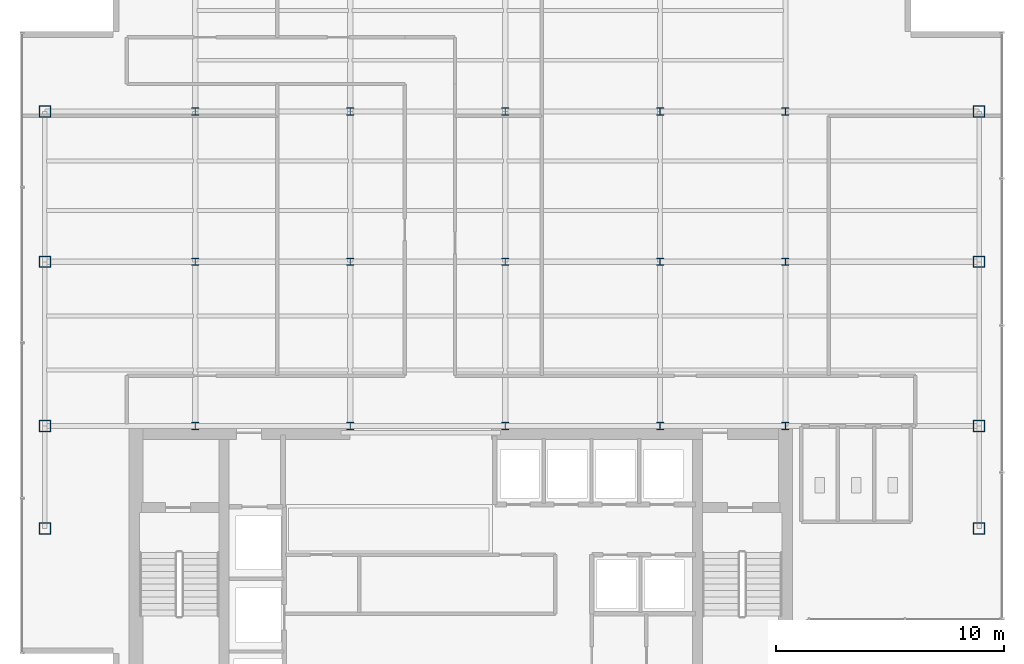
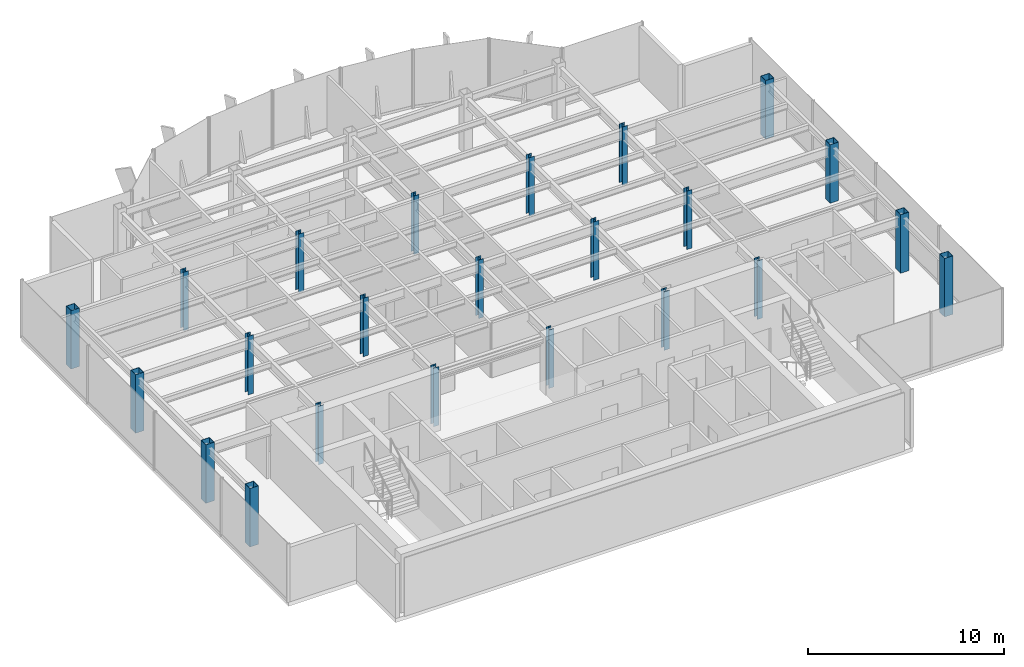
# One storey, part 1 of 22: 23 columns.
"""IFC4 building model written with IfcOpenShell, lengths in metres."""

import ifcopenshell
import ifcopenshell.guid

model = None  # the IFC model being written
_history = None  # IfcOwnerHistory: only IFC2X3 demands one
_inside = {}  # id of a spatial element -> (the spatial element, [elements in it])
_under = {}  # id of a project, library or spatial element -> (it, [spatial elements below it])
_declared = {}  # id of a project -> (the project, [libraries it declares])
_typed = {}  # id of a type object -> (the type object, [elements of that type])
_made_of = {}  # id of a material, layer set ... -> (it, [elements and type objects made of it])


def new_model(schema):
    """Start an empty IFC model of exactly this schema.

    Asked for "IFC4X3", IfcOpenShell would pick the latest addendum, in which some entities
    have other attributes; the version numbers below select the first issue.
    IFC2X3 requires an IfcOwnerHistory on every rooted entity: one is made here for all.
    """
    global model, _history
    if schema == "IFC4X3":
        model = ifcopenshell.file(schema_version=(4, 3, 0, 0))
    else:
        model = ifcopenshell.file(schema=schema)
    _inside.clear()
    _under.clear()
    _declared.clear()
    _typed.clear()
    _made_of.clear()
    _history = None
    if model.schema == "IFC2X3":
        org = make("IfcOrganization", Name="unknown")
        user = make(
            "IfcPersonAndOrganization",
            ThePerson=make("IfcPerson", FamilyName="unknown"),
            TheOrganization=org,
        )
        app = make(
            "IfcApplication",
            ApplicationDeveloper=org,
            Version="unknown",
            ApplicationFullName="unknown",
            ApplicationIdentifier="unknown",
        )
        _history = make(
            "IfcOwnerHistory",
            OwningUser=user,
            OwningApplication=app,
            ChangeAction="ADDED",
            CreationDate=0,
        )
    return model


def make(cls, **values):
    """One entity of the class cls with the attributes given. An attribute that is None is left unset."""
    return model.create_entity(
        cls, **{name: value for name, value in values.items() if value is not None}
    )


def rooted(cls, **values):
    """An entity with a GlobalId (a new one), such as an element, a storey or a relation."""
    return make(cls, GlobalId=ifcopenshell.guid.new(), OwnerHistory=_history, **values)


def si_unit(unit_type, name, prefix=None):
    """IfcSIUnit, for example si_unit("LENGTHUNIT", "METRE", prefix="MILLI")."""
    return make("IfcSIUnit", UnitType=unit_type, Prefix=prefix, Name=name)


def derived_unit(unit_type, elements):
    """IfcDerivedUnit: a product of units, each with its exponent."""
    return make(
        "IfcDerivedUnit",
        Elements=[
            make("IfcDerivedUnitElement", Unit=unit, Exponent=power)
            for unit, power in elements
        ],
        UnitType=unit_type,
    )


def assignment(units):
    """IfcUnitAssignment: the units of a project."""
    return None if units is None else make("IfcUnitAssignment", Units=units)


def point(xyz):
    """IfcCartesianPoint."""
    return None if xyz is None else make("IfcCartesianPoint", Coordinates=xyz)


def direction(xyz):
    """IfcDirection."""
    return None if xyz is None else make("IfcDirection", DirectionRatios=xyz)


def frame(location, z_axis=None, x_axis=None):
    """IfcAxis2Placement3D, a coordinate frame: its origin and axes. An axis left out is left unset."""
    return make(
        "IfcAxis2Placement3D",
        Location=point(location),
        Axis=direction(z_axis),
        RefDirection=direction(x_axis),
    )


def frame_2d(location, x_axis=None):
    """IfcAxis2Placement2D, a coordinate frame in the plane: its origin and x axis."""
    return make(
        "IfcAxis2Placement2D", Location=point(location), RefDirection=direction(x_axis)
    )


def origin():
    """The frame at (0, 0, 0) with its axes left unset."""
    return frame((0.0, 0.0, 0.0))


def origin_2d():
    """The frame at (0, 0) in the plane with its x axis left unset."""
    return frame_2d((0.0, 0.0))


def place(relative_to, where):
    """IfcLocalPlacement: puts the frame where relative to a parent placement (None: the world)."""
    return make(
        "IfcLocalPlacement", PlacementRelTo=relative_to, RelativePlacement=where
    )


def context(
    kind, dimensions, precision=None, world=None, true_north=None, identifier=None
):
    """IfcGeometricRepresentationContext, for example the 3D "Model" context."""
    return make(
        "IfcGeometricRepresentationContext",
        ContextIdentifier=identifier,
        ContextType=kind,
        CoordinateSpaceDimension=dimensions,
        Precision=precision,
        WorldCoordinateSystem=world,
        TrueNorth=true_north,
    )


def subcontext(parent, identifier, kind, view, scale=None):
    """IfcGeometricRepresentationSubContext, for example "Body" below "Model"."""
    return make(
        "IfcGeometricRepresentationSubContext",
        ContextIdentifier=identifier,
        ContextType=kind,
        ParentContext=parent,
        TargetScale=scale,
        TargetView=view,
    )


def project(units=None, contexts=None):
    """IfcProject with its units and contexts."""
    return rooted(
        "IfcProject",
        Name="project",
        RepresentationContexts=contexts,
        UnitsInContext=assignment(units),
    )


def spatial(cls, under=None, at=None, **own):
    """A site, building, storey or space (cls), placed at a placement, below another one or the project."""
    s = rooted(cls, ObjectPlacement=at, **own)
    if under is not None:
        _under.setdefault(under.id(), (under, []))[1].append(s)
    return s


def profile(cls, at=None, kind="AREA", **sizes):
    """A parametric profile (cls). Its sizes go by their IFC names, for example OverallWidth=200.0."""
    return make(cls, ProfileType=kind, Position=at, **sizes)


def hollow_rectangle(**sizes):
    """IfcRectangleHollowProfileDef."""
    return profile("IfcRectangleHollowProfileDef", **sizes)


def i_section(**sizes):
    """IfcIShapeProfileDef."""
    return profile("IfcIShapeProfileDef", **sizes)


def extrude(swept, where, along, depth):
    """IfcExtrudedAreaSolid: the profile swept, set in the frame where, extruded along a direction by depth."""
    return make(
        "IfcExtrudedAreaSolid",
        SweptArea=swept,
        Position=where,
        ExtrudedDirection=direction(along),
        Depth=depth,
    )


def shape(context_of_items, identifier, shape_type, items):
    """IfcShapeRepresentation: the items that make up one representation, for example the "Body"."""
    return make(
        "IfcShapeRepresentation",
        ContextOfItems=context_of_items,
        RepresentationIdentifier=identifier,
        RepresentationType=shape_type,
        Items=items,
    )


def source(mapping_origin, context_of_items, identifier, shape_type, items):
    """IfcRepresentationMap: a shape defined once, which mapped items show again and again."""
    return make(
        "IfcRepresentationMap",
        MappingOrigin=mapping_origin,
        MappedRepresentation=shape(context_of_items, identifier, shape_type, items),
    )


def transform(
    local_origin,
    x_axis=None,
    y_axis=None,
    z_axis=None,
    scale=None,
    scale2=None,
    scale3=None,
    uniform=True,
):
    """IfcCartesianTransformationOperator3D, or its non-uniform kind. x_axis, y_axis, z_axis: its Axis1, 2, 3."""
    if uniform:
        return make(
            "IfcCartesianTransformationOperator3D",
            Axis1=direction(x_axis),
            Axis2=direction(y_axis),
            LocalOrigin=point(local_origin),
            Scale=scale,
            Axis3=direction(z_axis),
        )
    return make(
        "IfcCartesianTransformationOperator3DnonUniform",
        Axis1=direction(x_axis),
        Axis2=direction(y_axis),
        LocalOrigin=point(local_origin),
        Scale=scale,
        Axis3=direction(z_axis),
        Scale2=scale2,
        Scale3=scale3,
    )


def mapped(mapping_source, mapping_target):
    """IfcMappedItem: shows the shape of a source again, moved by a transform."""
    return make(
        "IfcMappedItem", MappingSource=mapping_source, MappingTarget=mapping_target
    )


def material(Name=None, Category=None):
    """IfcMaterial."""
    return make("IfcMaterial", Name=Name, Category=Category)


def material_profile(
    of_material, cross_section, Name=None, Category=None, Priority=None
):
    """IfcMaterialProfile: a cross section and its material."""
    return make(
        "IfcMaterialProfile",
        Name=Name,
        Material=of_material,
        Profile=cross_section,
        Priority=Priority,
        Category=Category,
    )


def profile_set(profiles, Name=None, composite=None):
    """IfcMaterialProfileSet."""
    return make(
        "IfcMaterialProfileSet",
        Name=Name,
        MaterialProfiles=profiles,
        CompositeProfile=composite,
    )


def made_of(thing, what):
    """Note that an element or type object is made of a material, layer set ...; save() writes the relation."""
    if what is not None:
        _made_of.setdefault(what.id(), (what, []))[1].append(thing)
    return thing


def type_object(cls, material=None, **own):
    """A type object (cls), such as IfcWallType, which elements share."""
    return made_of(rooted(cls, **own), material)


def element(
    cls,
    number,
    at=None,
    inside=None,
    cuts=None,
    type_object=None,
    material=None,
    context=None,
    identifier="Body",
    shape_type=None,
    held_by="IfcProductDefinitionShape",
    body=None,
    shapes=None,
    **own,
):
    """One element of the class cls, such as IfcWall. Its Tag is "e" and its number.

    at: its placement. inside: the storey or other place that contains it. cuts: it is an
    opening in that element (IfcRelVoidsElement). A single representation is given by context,
    identifier, shape_type and body (its items); several are given by shapes. held_by: the class
    of the entity that holds the representations. save() writes the other relations.
    """
    e = rooted(cls, Tag="e%d" % number, ObjectPlacement=at, **own)
    if body is not None:
        shapes = [shape(context, identifier, shape_type, body)]
    if shapes is not None:
        e.Representation = make(held_by, Representations=shapes)
    if inside is not None:
        _inside.setdefault(inside.id(), (inside, []))[1].append(e)
    if cuts is not None:
        rooted(
            "IfcRelVoidsElement", RelatingBuildingElement=cuts, RelatedOpeningElement=e
        )
    if type_object is not None:
        _typed.setdefault(type_object.id(), (type_object, []))[1].append(e)
    return made_of(e, material)


def aggregate(whole, parts):
    """IfcRelAggregates: a whole, such as a stair, and the parts it consists of."""
    return rooted("IfcRelAggregates", RelatingObject=whole, RelatedObjects=parts)


def save(model, path):
    """Write the relations noted so far, then the file.

    IfcRelAggregates (storeys below a building ...), IfcRelContainedInSpatialStructure (elements
    in a storey), IfcRelDefinesByType, IfcRelAssociatesMaterial and IfcRelDeclares: one each for
    every whole, place, type object, material and project.
    """
    for whole, parts in _under.values():
        aggregate(whole, parts)
    for where, things in _inside.values():
        rooted(
            "IfcRelContainedInSpatialStructure",
            RelatedElements=things,
            RelatingStructure=where,
        )
    for kind, things in _typed.values():
        rooted("IfcRelDefinesByType", RelatedObjects=things, RelatingType=kind)
    for what, things in _made_of.values():
        rooted("IfcRelAssociatesMaterial", RelatedObjects=things, RelatingMaterial=what)
    for by, libraries in _declared.values():
        rooted("IfcRelDeclares", RelatingContext=by, RelatedDefinitions=libraries)
    model.write(path)


model = new_model("IFC4")

# Units and contexts
model_context = context("Model", 3, precision=1e-05, world=origin(), true_north=direction((0.0, 1.0)))
body_context = subcontext(model_context, "Body", "Model", "MODEL_VIEW")
ifc_project = project(units=[si_unit("LENGTHUNIT", "METRE"), si_unit("AREAUNIT", "SQUARE_METRE"), si_unit("VOLUMEUNIT", "CUBIC_METRE"), si_unit("PLANEANGLEUNIT", "RADIAN"), si_unit("MASSUNIT", "GRAM", prefix="KILO"), derived_unit("THERMALTRANSMITTANCEUNIT", [(si_unit("POWERUNIT", "WATT"), 1), (si_unit("LENGTHUNIT", "METRE"), -2), (si_unit("THERMODYNAMICTEMPERATUREUNIT", "KELVIN"), -1)])], contexts=[model_context])

# Site, building, storey
site_placement = place(None, origin())
site = spatial("IfcSite", under=ifc_project, at=site_placement, CompositionType="ELEMENT")
building_placement = place(site_placement, origin())
building = spatial("IfcBuilding", under=site, at=building_placement, Name="Skarnbrae Concourse Arena and Tower", CompositionType="ELEMENT")
storey_placement = place(building_placement, frame((0.0, 0.0, 192.25)))
storey = spatial("IfcBuildingStorey", under=building, at=storey_placement, Name="L49", CompositionType="ELEMENT", Elevation=192.25)

# Columns
ifc_material = material(Name="Steel CSA G40.21 350W", Category="steel")
ifc_material_profile_1 = material_profile(ifc_material, hollow_rectangle(XDim=0.5, YDim=0.5, WallThickness=0.02197265625, at=origin_2d()), Name="HSS500X500X22.0")
ifc_profile_set_1 = profile_set([ifc_material_profile_1], Name="Steel CSA G40.21 350W")
column_type_1 = type_object("IfcColumnType", Name="COL-TUBE-HSS500", PredefinedType="COLUMN", material=ifc_profile_set_1)
shared_shape_1 = source(origin(), body_context, "Body", "SweptSolid", [
    extrude(hollow_rectangle(XDim=0.5, YDim=0.5, WallThickness=0.02197265625, at=origin_2d()), origin(), (0.0, 0.0, 1.0), 3.64990234375),
])
for number, where, z_axis, x_axis, name in (
    (1, (1.0, 9.5, 0.0), (0.0, 0.0, 1.0), (1.0, 0.0, 0.0), "L49 Tower column PC_01_01"),
    (2, (1.0, 14.0, 0.0), (0.0, 0.0, 1.0), (1.0, 0.0, 0.0), "L49 Tower column PC_01_02"),
    (3, (1.0, 21.199951171875, 0.0), (0.0, 0.0, 1.0), (1.0, 0.0, 0.0), "L49 Tower column PC_01_03"),
    (4, (1.0, 27.800048828125, 0.0), (0.0, 0.0, 1.0), (1.0, 0.0, 0.0), "L49 Tower column PC_01_04"),
    (5, (42.0, 9.5, 0.0), (0.0, 0.0, 1.0), (1.0, 0.0, 0.0), "L49 Tower column PC_07_01"),
    (6, (42.0, 14.0, 0.0), (0.0, 0.0, 1.0), (1.0, 0.0, 0.0), "L49 Tower column PC_07_02"),
    (7, (42.0, 21.199951171875, 0.0), (0.0, 0.0, 1.0), (1.0, 0.0, 0.0), "L49 Tower column PC_07_03"),
    (8, (42.0, 27.800048828125, 0.0), (0.0, 0.0, 1.0), (1.0, 0.0, 0.0), "L49 Tower column PC_07_04"),
):
    element("IfcColumn", number, at=place(storey_placement, frame(where, z_axis=z_axis, x_axis=x_axis)), inside=storey, type_object=column_type_1, Name=name, PredefinedType="COLUMN", context=body_context, shape_type="MappedRepresentation", body=[
        mapped(shared_shape_1, transform((0.0, 0.0, 0.0))),
    ])
ifc_material_profile_2 = material_profile(ifc_material, i_section(OverallWidth=0.30908203125, OverallDepth=0.322998046875, WebThickness=0.013916015625, FlangeThickness=0.02294921875, at=origin_2d()), Name="W310X143")
ifc_profile_set_2 = profile_set([ifc_material_profile_2], Name="Steel CSA G40.21 350W")
column_type_2 = type_object("IfcColumnType", Name="COL-INT-W310X143", PredefinedType="COLUMN", material=ifc_profile_set_2)
shared_shape_2 = source(origin(), body_context, "Body", "SweptSolid", [
    extrude(i_section(OverallWidth=0.30908203125, OverallDepth=0.322998046875, WebThickness=0.013916015625, FlangeThickness=0.02294921875, at=origin_2d()), origin(), (0.0, 0.0, 1.0), 3.64990234375),
])
for number, where, z_axis, x_axis, name in (
    (9, (7.60009765625, 14.0, 0.0), (0.0, 0.0, 1.0), (1.0, 0.0, 0.0), "L49 Tower column IC_02_02"),
    (10, (7.60009765625, 21.199951171875, 0.0), (0.0, 0.0, 1.0), (1.0, 0.0, 0.0), "L49 Tower column IC_02_03"),
    (11, (7.60009765625, 27.800048828125, 0.0), (0.0, 0.0, 1.0), (1.0, 0.0, 0.0), "L49 Tower column IC_02_04"),
    (12, (14.39990234375, 14.0, 0.0), (0.0, 0.0, 1.0), (1.0, 0.0, 0.0), "L49 Tower column IC_03_02"),
    (13, (14.39990234375, 21.199951171875, 0.0), (0.0, 0.0, 1.0), (1.0, 0.0, 0.0), "L49 Tower column IC_03_03"),
    (14, (14.39990234375, 27.800048828125, 0.0), (0.0, 0.0, 1.0), (1.0, 0.0, 0.0), "L49 Tower column IC_03_04"),
    (15, (21.199951171875, 14.0, 0.0), (0.0, 0.0, 1.0), (1.0, 0.0, 0.0), "L49 Tower column IC_04_02"),
    (16, (21.199951171875, 21.199951171875, 0.0), (0.0, 0.0, 1.0), (1.0, 0.0, 0.0), "L49 Tower column IC_04_03"),
    (17, (21.199951171875, 27.800048828125, 0.0), (0.0, 0.0, 1.0), (1.0, 0.0, 0.0), "L49 Tower column IC_04_04"),
    (18, (28.0, 14.0, 0.0), (0.0, 0.0, 1.0), (1.0, 0.0, 0.0), "L49 Tower column IC_05_02"),
    (19, (28.0, 21.199951171875, 0.0), (0.0, 0.0, 1.0), (1.0, 0.0, 0.0), "L49 Tower column IC_05_03"),
    (20, (28.0, 27.800048828125, 0.0), (0.0, 0.0, 1.0), (1.0, 0.0, 0.0), "L49 Tower column IC_05_04"),
    (21, (33.5, 14.0, 0.0), (0.0, 0.0, 1.0), (1.0, 0.0, 0.0), "L49 Tower column IC_06_02"),
    (22, (33.5, 21.199951171875, 0.0), (0.0, 0.0, 1.0), (1.0, 0.0, 0.0), "L49 Tower column IC_06_03"),
    (23, (33.5, 27.800048828125, 0.0), (0.0, 0.0, 1.0), (1.0, 0.0, 0.0), "L49 Tower column IC_06_04"),
):
    element("IfcColumn", number, at=place(storey_placement, frame(where, z_axis=z_axis, x_axis=x_axis)), inside=storey, type_object=column_type_2, Name=name, PredefinedType="COLUMN", context=body_context, shape_type="MappedRepresentation", body=[
        mapped(shared_shape_2, transform((0.0, 0.0, 0.0))),
    ])

save(model, "model.ifc")
